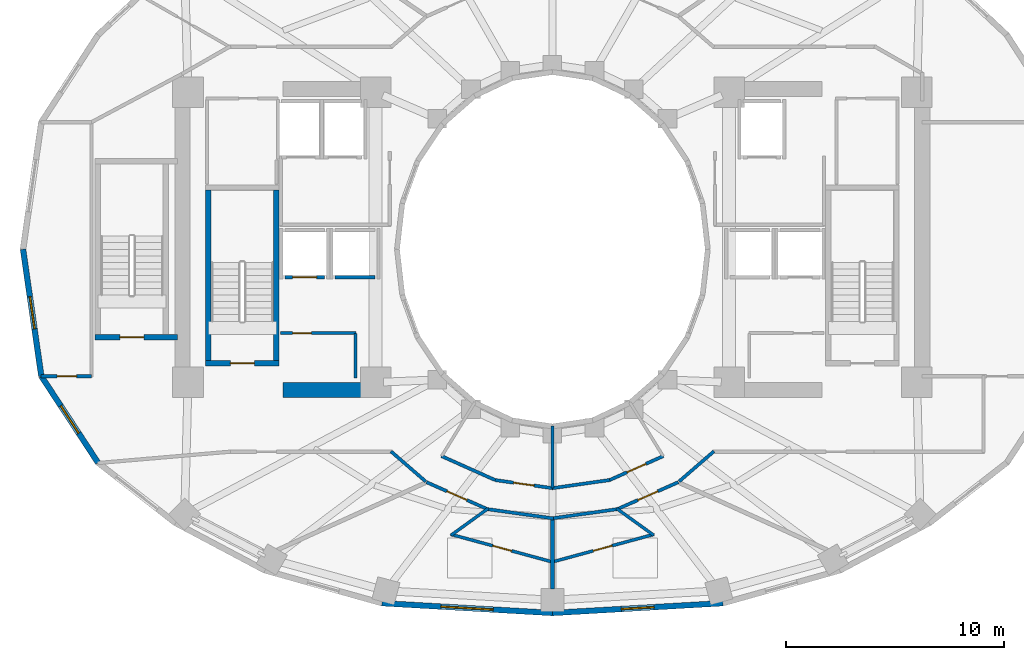
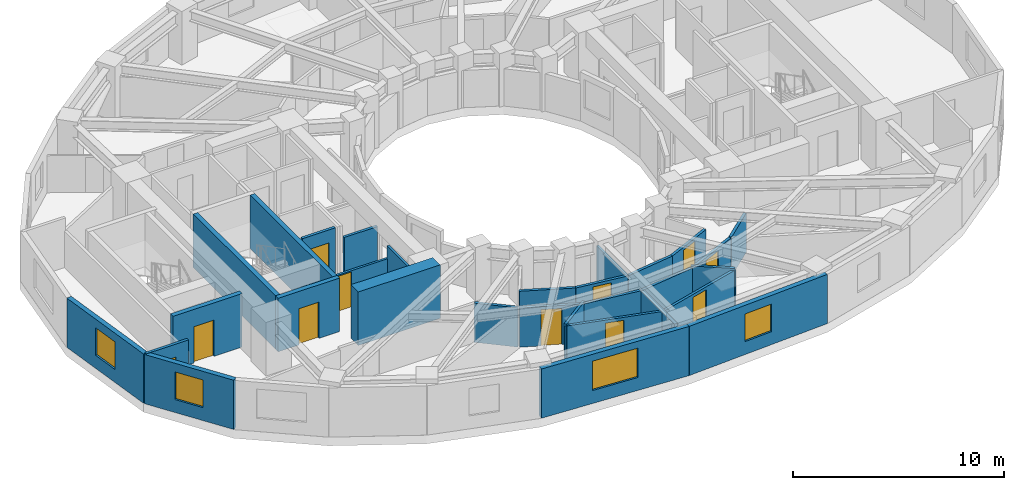
# One storey, part 3 of 9: 30 walls, 11 doors, 4 windows, 15 openings.
"""IFC4 building model written with IfcOpenShell, lengths in metres."""

from ifc_helpers import new_model, si_unit, direction, frame, frame_2d, origin, place, context, subcontext, project, spatial, rectangle, extrude, material, layer, layer_set, type_object, element, fill, save


model = new_model("IFC4")

# Units and contexts
model_context = context("Model", 3, precision=1e-05, world=origin(), true_north=direction((0.0, 1.0)))
body_context = subcontext(model_context, "Body", "Model", "MODEL_VIEW")
ifc_project = project(units=[si_unit("LENGTHUNIT", "METRE"), si_unit("AREAUNIT", "SQUARE_METRE"), si_unit("VOLUMEUNIT", "CUBIC_METRE"), si_unit("PLANEANGLEUNIT", "RADIAN"), si_unit("MASSUNIT", "GRAM", prefix="KILO")], contexts=[model_context])

# Site, building, storey
site_placement = place(None, origin())
site = spatial("IfcSite", under=ifc_project, at=site_placement, CompositionType="ELEMENT")
building_placement = place(site_placement, origin())
building = spatial("IfcBuilding", under=site, at=building_placement, Name="Solvane Sanctuary Tower", CompositionType="ELEMENT")
storey_placement = place(building_placement, frame((0.0, 0.0, 113.5)))
storey = spatial("IfcBuildingStorey", under=building, at=storey_placement, Name="L34", CompositionType="ELEMENT", Elevation=113.5)

# Wall
ifc_material_1 = material(Name="Concrete C60/75", Category="concrete")
ifc_layer_1 = layer(ifc_material_1, 0.699951171875, Name="Concrete C60/75")
ifc_layer_set_1 = layer_set([ifc_layer_1], Name="Concrete C60/75")
wall_type_1 = type_object("IfcWallType", Name="Wall W-CORE-700", PredefinedType="SHEAR", material=ifc_layer_set_1)
wall_1_placement = place(storey_placement, frame((19.64990234375, 16.550048828125, 0.0), z_axis=(0.0, 0.0, 1.0), x_axis=(1.0, 0.0, 0.0)))
element("IfcWall", 1, at=wall_1_placement, inside=storey, type_object=wall_type_1, Name="L34 Core Shear Wall WC-S", PredefinedType="SHEAR", context=body_context, shape_type="SweptSolid", body=[
    extrude(rectangle(XDim=4.5, YDim=0.699951171875, at=frame_2d((2.25, 0.0))), origin(), (0.0, 0.0, 1.0), 3.10009765625),
])

# Wall, opening, door
ifc_material_2 = material(Name="Acoustic Gypsum Partition Board")
ifc_layer_2 = layer(ifc_material_2, 0.14990234375, Name="Acoustic Gypsum Partition Board")
ifc_layer_set_2 = layer_set([ifc_layer_2], Name="Acoustic Gypsum Partition Board")
wall_type_2 = type_object("IfcWallType", Name="Wall W-CORR-150", PredefinedType="PARTITIONING", material=ifc_layer_set_2)
wall_2_placement = place(storey_placement, frame((8.558349609375, 17.1748046875, 0.0), z_axis=(0.0, 0.0, 1.0), x_axis=(1.0, 0.0, 0.0)))
wall_2 = element("IfcWall", 2, at=wall_2_placement, inside=storey, type_object=wall_type_2, Name="L34 West Shoulder South Wall", PredefinedType="PARTITIONING", context=body_context, shape_type="SweptSolid", body=[
    extrude(rectangle(XDim=2.321533203125, YDim=0.14990234375, at=frame_2d((1.16064453125, 0.0))), origin(), (0.0, 0.0, 1.0), 2.85498046875),
])
opening_1_placement = place(wall_2_placement, frame((0.739013671875, 0.0, 0.0)))
opening_1 = element("IfcOpeningElement", 3, at=opening_1_placement, cuts=wall_2, Name="Opening D-L34-11", PredefinedType="OPENING", context=body_context, shape_type="SweptSolid", body=[
    extrude(rectangle(XDim=0.89990234375, YDim=2.10009765625, at=frame_2d((0.449951171875, 1.050048828125))), frame((0.0, 0.0849609375, 0.0), z_axis=(0.0, -1.0, 0.0), x_axis=(1.0, 0.0, 0.0)), (0.0, 0.0, 1.0), 0.169921875),
])
ifc_material_3 = material(Name="Engineered Tropical Hardwood", Category="wood")
door_type_1 = type_object("IfcDoorType", Name="Door D-WET-900", OperationType="NOTDEFINED", PredefinedType="DOOR", material=ifc_material_3)
door_1_placement = place(opening_1_placement, origin())
door_1 = element("IfcDoor", 4, at=door_1_placement, inside=storey, type_object=door_type_1, Name="L34 West Shoulder South Door", OperationType="SINGLE_SWING_RIGHT", OverallHeight=2.10009765625, OverallWidth=0.89990234375, PredefinedType="DOOR", context=body_context, shape_type="SweptSolid", body=[
    extrude(rectangle(XDim=0.89990234375, YDim=2.10009765625, at=frame_2d((0.449951171875, 1.050048828125))), frame((0.0, 0.02490234375, 0.0), z_axis=(0.0, -1.0, 0.0), x_axis=(1.0, 0.0, 0.0)), (0.0, 0.0, 1.0), 0.050048828125),
])
fill(opening_1, door_1)

# Walls
for number, where, z_axis, x_axis, name in (
    (5, (26.193359375, 12.35791015625, 0.0), (0.0, 0.0, 1.0), (-0.756055312247, 0.654507727092, 0.0), "L34 SW Corner Throat Wall"),
    (6, (37.806640625, 12.35791015625, 0.0), (0.0, 0.0, 1.0), (0.756055312247, 0.654507727092, 0.0), "L34 SE Corner Throat Wall"),
):
    element("IfcWall", number, at=place(storey_placement, frame(where, z_axis=z_axis, x_axis=x_axis)), inside=storey, type_object=wall_type_2, Name=name, PredefinedType="PARTITIONING", context=body_context, shape_type="SweptSolid", body=[
        extrude(rectangle(XDim=2.11083984375, YDim=0.14990234375, at=frame_2d((1.055419921875, 0.0))), origin(), (0.0, 0.0, 1.0), 2.27197265625),
    ])
wall_3_placement = place(storey_placement, frame((26.9189453125, 13.520751953125, 0.0), z_axis=(0.0, 0.0, 1.0), x_axis=(0.912888568324, -0.408208845842, 0.0)))
element("IfcWall", 7, at=wall_3_placement, inside=storey, type_object=wall_type_2, Name="L34 Inner Light-Well Corridor Wall S1", PredefinedType="PARTITIONING", context=body_context, shape_type="SweptSolid", body=[
    extrude(rectangle(XDim=2.690185546875, YDim=0.14990234375, at=frame_2d((1.34521484375, 0.0))), origin(), (0.0, 0.0, 1.0), 2.27197265625),
])

# Wall, opening, door
wall_4_placement = place(storey_placement, frame((29.371337890625, 12.423583984375, 0.0), z_axis=(0.0, 0.0, 1.0), x_axis=(0.990106619919, -0.140317073775, 0.0)))
wall_4 = element("IfcWall", 8, at=wall_4_placement, inside=storey, type_object=wall_type_2, Name="L34 Inner Light-Well Corridor Wall S1", PredefinedType="PARTITIONING", context=body_context, shape_type="SweptSolid", body=[
    extrude(rectangle(XDim=2.662109375, YDim=0.14990234375, at=frame_2d((1.3310546875, 0.0))), origin(), (0.0, 0.0, 1.0), 2.27197265625),
])
opening_2_placement = place(wall_4_placement, frame((0.856201171875, 0.0, 0.0)))
opening_2 = element("IfcOpeningElement", 9, at=opening_2_placement, cuts=wall_4, Name="Opening D-L34-17", PredefinedType="OPENING", context=body_context, shape_type="SweptSolid", body=[
    extrude(rectangle(XDim=0.949951171875, YDim=2.10009765625, at=frame_2d((0.47509765625, 1.050048828125))), frame((0.0, 0.0849609375, 0.0), z_axis=(0.0, -1.0, 0.0), x_axis=(1.0, 0.0, 0.0)), (0.0, 0.0, 1.0), 0.169921875),
])
door_type_2 = type_object("IfcDoorType", Name="Door D-ROOM-950", OperationType="NOTDEFINED", PredefinedType="DOOR", material=ifc_material_3)
door_2_placement = place(opening_2_placement, origin())
door_2 = element("IfcDoor", 10, at=door_2_placement, inside=storey, type_object=door_type_2, Name="L34 Inner Light-Well Salon Door S1", OperationType="SINGLE_SWING_RIGHT", OverallHeight=2.10009765625, OverallWidth=0.949951171875, PredefinedType="DOOR", context=body_context, shape_type="SweptSolid", body=[
    extrude(rectangle(XDim=0.949951171875, YDim=2.10009765625, at=frame_2d((0.47509765625, 1.050048828125))), frame((0.0, 0.02490234375, 0.0), z_axis=(0.0, -1.0, 0.0), x_axis=(1.0, 0.0, 0.0)), (0.0, 0.0, 1.0), 0.050048828125),
])
fill(opening_2, door_2)

# Wall
wall_5_placement = place(storey_placement, frame((31.992919921875, 12.050048828125, 0.0), z_axis=(0.0, 0.0, 1.0), x_axis=(0.990106619919, 0.140317073775, 0.0)))
element("IfcWall", 11, at=wall_5_placement, inside=storey, type_object=wall_type_2, Name="L34 Inner Light-Well Corridor Wall S2", PredefinedType="PARTITIONING", context=body_context, shape_type="SweptSolid", body=[
    extrude(rectangle(XDim=2.662109375, YDim=0.14990234375, at=frame_2d((1.3310546875, 0.0))), origin(), (0.0, 0.0, 1.0), 2.27197265625),
])

# Wall, opening, door
wall_6_placement = place(storey_placement, frame((34.625244140625, 12.422607421875, 0.0), z_axis=(0.0, 0.0, 1.0), x_axis=(0.912888568324, 0.408208845842, 0.0)))
wall_6 = element("IfcWall", 12, at=wall_6_placement, inside=storey, type_object=wall_type_2, Name="L34 Inner Light-Well Corridor Wall S2", PredefinedType="PARTITIONING", context=body_context, shape_type="SweptSolid", body=[
    extrude(rectangle(XDim=2.690185546875, YDim=0.14990234375, at=frame_2d((1.34521484375, 0.0))), origin(), (0.0, 0.0, 1.0), 2.27197265625),
])
opening_3_placement = place(wall_6_placement, frame((0.8701171875, 0.0, 0.0)))
opening_3 = element("IfcOpeningElement", 13, at=opening_3_placement, cuts=wall_6, Name="Opening D-L34-18", PredefinedType="OPENING", context=body_context, shape_type="SweptSolid", body=[
    extrude(rectangle(XDim=0.949951171875, YDim=2.10009765625, at=frame_2d((0.47509765625, 1.050048828125))), frame((0.0, 0.0849609375, 0.0), z_axis=(0.0, -1.0, 0.0), x_axis=(1.0, 0.0, 0.0)), (0.0, 0.0, 1.0), 0.169921875),
])
door_3_placement = place(opening_3_placement, origin())
door_3 = element("IfcDoor", 14, at=door_3_placement, inside=storey, type_object=door_type_2, Name="L34 Inner Light-Well Salon Door S2", OperationType="SINGLE_SWING_LEFT", OverallHeight=2.10009765625, OverallWidth=0.949951171875, PredefinedType="DOOR", context=body_context, shape_type="SweptSolid", body=[
    extrude(rectangle(XDim=0.949951171875, YDim=2.10009765625, at=frame_2d((0.47509765625, 1.050048828125))), frame((0.0, 0.02490234375, 0.0), z_axis=(0.0, -1.0, 0.0), x_axis=(1.0, 0.0, 0.0)), (0.0, 0.0, 1.0), 0.050048828125),
])
fill(opening_3, door_3)

# Wall
wall_7_placement = place(storey_placement, frame((28.96630859375, 11.09716796875, 0.0), z_axis=(0.0, 0.0, 1.0), x_axis=(0.990234434447, -0.139412211929, 0.0)))
element("IfcWall", 15, at=wall_7_placement, inside=storey, type_object=wall_type_2, Name="L34 En-suite Inner Wall S1", PredefinedType="PARTITIONING", context=body_context, shape_type="SweptSolid", body=[
    extrude(rectangle(XDim=3.11376953125, YDim=0.14990234375, at=frame_2d((1.556884765625, 0.0))), origin(), (0.0, 0.0, 1.0), 2.27197265625),
])

# Wall, opening, door
wall_8_placement = place(storey_placement, frame((26.22802734375, 12.326171875, 0.0), z_axis=(0.0, 0.0, 1.0), x_axis=(0.914324470734, -0.404982422108, 0.0)))
wall_8 = element("IfcWall", 16, at=wall_8_placement, inside=storey, type_object=wall_type_2, Name="L34 Unit Corridor Wall S1", PredefinedType="PARTITIONING", context=body_context, shape_type="SweptSolid", body=[
    extrude(rectangle(XDim=3.0576171875, YDim=0.14990234375, at=frame_2d((1.52880859375, 0.0))), origin(), (0.0, 0.0, 1.0), 2.27197265625),
])
opening_4_placement = place(wall_8_placement, frame((1.02880859375, 0.0, 0.0)))
opening_4 = element("IfcOpeningElement", 17, at=opening_4_placement, cuts=wall_8, Name="Opening D-L34-25", PredefinedType="OPENING", context=body_context, shape_type="SweptSolid", body=[
    extrude(rectangle(XDim=1.0, YDim=2.10009765625, at=frame_2d((0.5, 1.050048828125))), frame((0.0, 0.0849609375, 0.0), z_axis=(0.0, -1.0, 0.0), x_axis=(1.0, 0.0, 0.0)), (0.0, 0.0, 1.0), 0.169921875),
])
door_type_3 = type_object("IfcDoorType", Name="Door D-UNIT", OperationType="NOTDEFINED", PredefinedType="DOOR", material=ifc_material_3)
door_4_placement = place(opening_4_placement, origin())
door_4 = element("IfcDoor", 18, at=door_4_placement, inside=storey, type_object=door_type_3, Name="L34 Unit Entrance Door S1", OperationType="SINGLE_SWING_RIGHT", OverallHeight=2.10009765625, OverallWidth=1.0, PredefinedType="DOOR", context=body_context, shape_type="SweptSolid", body=[
    extrude(rectangle(XDim=1.0, YDim=2.10009765625, at=frame_2d((0.5, 1.050048828125))), frame((0.0, 0.02490234375, 0.0), z_axis=(0.0, -1.0, 0.0), x_axis=(1.0, 0.0, 0.0)), (0.0, 0.0, 1.0), 0.050048828125),
])
fill(opening_4, door_4)

# Wall
wall_9_placement = place(storey_placement, frame((31.950439453125, 10.6630859375, 0.0), z_axis=(0.0, 0.0, 1.0), x_axis=(0.990234434447, 0.139412211929, 0.0)))
element("IfcWall", 19, at=wall_9_placement, inside=storey, type_object=wall_type_2, Name="L34 En-suite Inner Wall S2", PredefinedType="PARTITIONING", context=body_context, shape_type="SweptSolid", body=[
    extrude(rectangle(XDim=3.11376953125, YDim=0.14990234375, at=frame_2d((1.556884765625, 0.0))), origin(), (0.0, 0.0, 1.0), 2.27197265625),
])

# Wall, opening, door
wall_10_placement = place(storey_placement, frame((34.976318359375, 11.087890625, 0.0), z_axis=(0.0, 0.0, 1.0), x_axis=(0.914324470734, 0.404982422108, 0.0)))
wall_10 = element("IfcWall", 20, at=wall_10_placement, inside=storey, type_object=wall_type_2, Name="L34 Unit Corridor Wall S2", PredefinedType="PARTITIONING", context=body_context, shape_type="SweptSolid", body=[
    extrude(rectangle(XDim=3.0576171875, YDim=0.14990234375, at=frame_2d((1.52880859375, 0.0))), origin(), (0.0, 0.0, 1.0), 2.27197265625),
])
opening_5_placement = place(wall_10_placement, frame((1.02880859375, 0.0, 0.0)))
opening_5 = element("IfcOpeningElement", 21, at=opening_5_placement, cuts=wall_10, Name="Opening D-L34-27", PredefinedType="OPENING", context=body_context, shape_type="SweptSolid", body=[
    extrude(rectangle(XDim=1.0, YDim=2.10009765625, at=frame_2d((0.5, 1.050048828125))), frame((0.0, 0.0849609375, 0.0), z_axis=(0.0, -1.0, 0.0), x_axis=(1.0, 0.0, 0.0)), (0.0, 0.0, 1.0), 0.169921875),
])
door_5_placement = place(opening_5_placement, origin())
door_5 = element("IfcDoor", 22, at=door_5_placement, inside=storey, type_object=door_type_3, Name="L34 Unit Entrance Door S2", OperationType="SINGLE_SWING_RIGHT", OverallHeight=2.10009765625, OverallWidth=1.0, PredefinedType="DOOR", context=body_context, shape_type="SweptSolid", body=[
    extrude(rectangle(XDim=1.0, YDim=2.10009765625, at=frame_2d((0.5, 1.050048828125))), frame((0.0, 0.02490234375, 0.0), z_axis=(0.0, -1.0, 0.0), x_axis=(1.0, 0.0, 0.0)), (0.0, 0.0, 1.0), 0.050048828125),
])
fill(opening_5, door_5)

# Wall, opening, window
ifc_material_4 = material(Name="Precast concrete C40/50", Category="concrete")
ifc_layer_3 = layer(ifc_material_4, 0.260009765625, Name="Precast concrete C40/50")
ifc_layer_set_3 = layer_set([ifc_layer_3], Name="Precast concrete C40/50")
wall_type_3 = type_object("IfcWallType", Name="Wall W-EXT-250", PredefinedType="STANDARD", material=ifc_layer_set_3)
wall_11_placement = place(storey_placement, frame((7.739990234375, 23.0, 0.0), z_axis=(0.0, 0.0, 1.0), x_axis=(0.142572472068, -0.98978436551, 0.0)))
wall_11 = element("IfcWall", 23, at=wall_11_placement, inside=storey, type_object=wall_type_3, Name="L34 Ceramic-Printed Facade Wall 12", PredefinedType="STANDARD", context=body_context, shape_type="SweptSolid", body=[
    extrude(rectangle(XDim=5.878662109375, YDim=0.260009765625, at=frame_2d((2.939453125, 0.0))), origin(), (0.0, 0.0, 1.0), 2.85009765625),
])
opening_6_placement = place(wall_11_placement, frame((2.189453125, 0.0, 0.75)))
opening_6 = element("IfcOpeningElement", 24, at=opening_6_placement, cuts=wall_11, Name="Opening WN-OPER-1500", PredefinedType="OPENING", context=body_context, shape_type="SweptSolid", body=[
    extrude(rectangle(XDim=1.5, YDim=1.60009765625, at=frame_2d((0.75, 0.800048828125))), frame((0.0, 0.139892578125, 0.0), z_axis=(0.0, -1.0, 0.0), x_axis=(1.0, 0.0, 0.0)), (0.0, 0.0, 1.0), 0.280029296875),
])
ifc_material_5 = material(Name="Dark Ceramic-Fritted Low-E Glass", Category="glass")
window_type_1 = type_object("IfcWindowType", Name="Window WN-OPER-1500", PartitioningType="SINGLE_PANEL", PredefinedType="WINDOW", material=ifc_material_5)
window_1_placement = place(opening_6_placement, origin())
window_1 = element("IfcWindow", 25, at=window_1_placement, inside=storey, type_object=window_type_1, Name="L34 Operable Facade Window 12", OverallHeight=1.60009765625, OverallWidth=1.5, PartitioningType="SINGLE_PANEL", PredefinedType="WINDOW", context=body_context, shape_type="SweptSolid", body=[
    extrude(rectangle(XDim=1.5, YDim=1.60009765625, at=frame_2d((0.75, 0.800048828125))), frame((0.0, 0.030029296875, 0.0), z_axis=(0.0, -1.0, 0.0), x_axis=(1.0, 0.0, 0.0)), (0.0, 0.0, 1.0), 0.06005859375),
])
fill(opening_6, window_1)

wall_12_placement = place(storey_placement, frame((8.578125, 17.181396484375, 0.0), z_axis=(0.0, 0.0, 1.0), x_axis=(0.548283220945, -0.836292717672, 0.0)))
wall_12 = element("IfcWall", 26, at=wall_12_placement, inside=storey, type_object=wall_type_3, Name="L34 Ceramic-Printed Facade Wall 13", PredefinedType="STANDARD", context=body_context, shape_type="SweptSolid", body=[
    extrude(rectangle(XDim=4.744384765625, YDim=0.260009765625, at=frame_2d((2.3720703125, 0.0))), origin(), (0.0, 0.0, 1.0), 2.85009765625),
])
opening_7_placement = place(wall_12_placement, frame((1.622314453125, 0.0, 0.75)))
opening_7 = element("IfcOpeningElement", 27, at=opening_7_placement, cuts=wall_12, Name="Opening WN-OPER-1500", PredefinedType="OPENING", context=body_context, shape_type="SweptSolid", body=[
    extrude(rectangle(XDim=1.5, YDim=1.60009765625, at=frame_2d((0.75, 0.800048828125))), frame((0.0, 0.139892578125, 0.0), z_axis=(0.0, -1.0, 0.0), x_axis=(1.0, 0.0, 0.0)), (0.0, 0.0, 1.0), 0.280029296875),
])
window_2_placement = place(opening_7_placement, origin())
window_2 = element("IfcWindow", 28, at=window_2_placement, inside=storey, type_object=window_type_1, Name="L34 Operable Facade Window 13", OverallHeight=1.60009765625, OverallWidth=1.5, PartitioningType="SINGLE_PANEL", PredefinedType="WINDOW", context=body_context, shape_type="SweptSolid", body=[
    extrude(rectangle(XDim=1.5, YDim=1.60009765625, at=frame_2d((0.75, 0.800048828125))), frame((0.0, 0.030029296875, 0.0), z_axis=(0.0, -1.0, 0.0), x_axis=(1.0, 0.0, 0.0)), (0.0, 0.0, 1.0), 0.06005859375),
])
fill(opening_7, window_2)

wall_13_placement = place(storey_placement, frame((24.18359375, 6.7783203125, 0.0), z_axis=(0.0, 0.0, 1.0), x_axis=(0.998352606703, -0.057376586592, 0.0)))
wall_13 = element("IfcWall", 29, at=wall_13_placement, inside=storey, type_object=wall_type_3, Name="L34 Ceramic-Printed Facade Wall 17", PredefinedType="STANDARD", context=body_context, shape_type="SweptSolid", body=[
    extrude(rectangle(XDim=7.829345703125, YDim=0.260009765625, at=frame_2d((3.91455078125, 0.0))), origin(), (0.0, 0.0, 1.0), 2.85009765625),
])
opening_8_placement = place(wall_13_placement, frame((2.714599609375, 0.0, 0.75)))
opening_8 = element("IfcOpeningElement", 30, at=opening_8_placement, cuts=wall_13, Name="Opening WN-RIB-2400", PredefinedType="OPENING", context=body_context, shape_type="SweptSolid", body=[
    extrude(rectangle(XDim=2.39990234375, YDim=1.699951171875, at=frame_2d((1.199951171875, 0.85009765625))), frame((0.0, 0.139892578125, 0.0), z_axis=(0.0, -1.0, 0.0), x_axis=(1.0, 0.0, 0.0)), (0.0, 0.0, 1.0), 0.280029296875),
])
window_type_2 = type_object("IfcWindowType", Name="Window WN-RIB-2400", PartitioningType="SINGLE_PANEL", PredefinedType="WINDOW", material=ifc_material_5)
window_3_placement = place(opening_8_placement, origin())
window_3 = element("IfcWindow", 31, at=window_3_placement, inside=storey, type_object=window_type_2, Name="L34 Operable Facade Window 17", OverallHeight=1.699951171875, OverallWidth=2.39990234375, PartitioningType="SINGLE_PANEL", PredefinedType="WINDOW", context=body_context, shape_type="SweptSolid", body=[
    extrude(rectangle(XDim=2.39990234375, YDim=1.699951171875, at=frame_2d((1.199951171875, 0.85009765625))), frame((0.0, 0.030029296875, 0.0), z_axis=(0.0, -1.0, 0.0), x_axis=(1.0, 0.0, 0.0)), (0.0, 0.0, 1.0), 0.06005859375),
])
fill(opening_8, window_3)

wall_14_placement = place(storey_placement, frame((32.0, 6.3291015625, 0.0), z_axis=(0.0, 0.0, 1.0), x_axis=(0.998352606703, 0.057376586592, 0.0)))
wall_14 = element("IfcWall", 32, at=wall_14_placement, inside=storey, type_object=wall_type_3, Name="L34 Ceramic-Printed Facade Wall 18", PredefinedType="STANDARD", context=body_context, shape_type="SweptSolid", body=[
    extrude(rectangle(XDim=7.829345703125, YDim=0.260009765625, at=frame_2d((3.91455078125, 0.0))), origin(), (0.0, 0.0, 1.0), 2.85009765625),
])
opening_9_placement = place(wall_14_placement, frame((3.16455078125, 0.0, 0.75)))
opening_9 = element("IfcOpeningElement", 33, at=opening_9_placement, cuts=wall_14, Name="Opening WN-OPER-1500", PredefinedType="OPENING", context=body_context, shape_type="SweptSolid", body=[
    extrude(rectangle(XDim=1.5, YDim=1.60009765625, at=frame_2d((0.75, 0.800048828125))), frame((0.0, 0.139892578125, 0.0), z_axis=(0.0, -1.0, 0.0), x_axis=(1.0, 0.0, 0.0)), (0.0, 0.0, 1.0), 0.280029296875),
])
window_4_placement = place(opening_9_placement, origin())
window_4 = element("IfcWindow", 34, at=window_4_placement, inside=storey, type_object=window_type_1, Name="L34 Operable Facade Window 18", OverallHeight=1.60009765625, OverallWidth=1.5, PartitioningType="SINGLE_PANEL", PredefinedType="WINDOW", context=body_context, shape_type="SweptSolid", body=[
    extrude(rectangle(XDim=1.5, YDim=1.60009765625, at=frame_2d((0.75, 0.800048828125))), frame((0.0, 0.030029296875, 0.0), z_axis=(0.0, -1.0, 0.0), x_axis=(1.0, 0.0, 0.0)), (0.0, 0.0, 1.0), 0.06005859375),
])
fill(opening_9, window_4)

# Wall, opening, door
ifc_layer_4 = layer(ifc_material_2, 0.125, Name="Acoustic Gypsum Partition Board")
ifc_layer_set_4 = layer_set([ifc_layer_4], Name="Acoustic Gypsum Partition Board")
wall_type_4 = type_object("IfcWallType", Name="Wall W-PART-125", PredefinedType="PARTITIONING", material=ifc_layer_set_4)
wall_15_placement = place(storey_placement, frame((19.550048828125, 19.159912109375, 0.0), z_axis=(0.0, 0.0, 1.0), x_axis=(1.0, 0.0, 0.0)))
wall_15 = element("IfcWall", 35, at=wall_15_placement, inside=storey, type_object=wall_type_4, Name="L34 Reclaimed Room Partition PLW", PredefinedType="PARTITIONING", context=body_context, shape_type="SweptSolid", body=[
    extrude(rectangle(XDim=3.449951171875, YDim=0.125, at=frame_2d((1.72509765625, 0.0))), origin(), (0.0, 0.0, 1.0), 2.1201171875),
])
opening_10_placement = place(wall_15_placement, frame((0.550048828125, 0.0, 0.0)))
opening_10 = element("IfcOpeningElement", 36, at=opening_10_placement, cuts=wall_15, Name="Opening D-L34-06", PredefinedType="OPENING", context=body_context, shape_type="SweptSolid", body=[
    extrude(rectangle(XDim=0.85009765625, YDim=2.050048828125, at=frame_2d((0.425048828125, 1.02490234375))), frame((0.0, 0.072509765625, 0.0), z_axis=(0.0, -1.0, 0.0), x_axis=(1.0, 0.0, 0.0)), (0.0, 0.0, 1.0), 0.14501953125),
])
ifc_material_6 = material(Name="Architectural Stainless Steel 316", Category="steel")
door_type_4 = type_object("IfcDoorType", Name="Door D-RISER", OperationType="NOTDEFINED", PredefinedType="DOOR", material=ifc_material_6)
door_6_placement = place(opening_10_placement, origin())
door_6 = element("IfcDoor", 37, at=door_6_placement, inside=storey, type_object=door_type_4, Name="L34 Reclaimed Room Door PLW-1", OperationType="SINGLE_SWING_LEFT", OverallHeight=2.050048828125, OverallWidth=0.85009765625, PredefinedType="DOOR", context=body_context, shape_type="SweptSolid", body=[
    extrude(rectangle(XDim=0.85009765625, YDim=2.050048828125, at=frame_2d((0.425048828125, 1.02490234375))), frame((0.0, 0.02490234375, 0.0), z_axis=(0.0, -1.0, 0.0), x_axis=(1.0, 0.0, 0.0)), (0.0, 0.0, 1.0), 0.050048828125),
])
fill(opening_10, door_6)

# Walls
wall_16_placement = place(storey_placement, frame((22.97998046875, 17.10009765625, 0.0), z_axis=(0.0, 0.0, 1.0), x_axis=(0.0, 1.0, 0.0)))
element("IfcWall", 38, at=wall_16_placement, inside=storey, type_object=wall_type_4, Name="L34 Reclaimed Room Closer Wall PLW-1", PredefinedType="PARTITIONING", context=body_context, shape_type="SweptSolid", body=[
    extrude(rectangle(XDim=2.039794921875, YDim=0.125, at=frame_2d((1.02001953125, 0.0))), origin(), (0.0, 0.0, 1.0), 2.85498046875),
])
wall_17_placement = place(storey_placement, frame((32.0, 14.89990234375, 0.0), z_axis=(0.0, 0.0, 1.0), x_axis=(0.0, -1.0, 0.0)))
element("IfcWall", 39, at=wall_17_placement, inside=storey, type_object=wall_type_4, Name="L34 Inner Light-Well Radial Wall 270", PredefinedType="PARTITIONING", context=body_context, shape_type="SweptSolid", body=[
    extrude(rectangle(XDim=2.849853515625, YDim=0.125, at=frame_2d((1.4248046875, 0.0))), origin(), (0.0, 0.0, 1.0), 2.27197265625),
])

# Wall, opening, door
ifc_material_7 = material(Name="Concrete C50/60", Category="concrete")
ifc_layer_5 = layer(ifc_material_7, 0.14990234375, Name="Concrete C50/60")
ifc_layer_set_5 = layer_set([ifc_layer_5], Name="Concrete C50/60")
wall_type_5 = type_object("IfcWallType", Name="Wall W-SHAFT-150", PredefinedType="SOLIDWALL", material=ifc_layer_set_5)
wall_18_placement = place(storey_placement, frame((19.739990234375, 21.719970703125, 0.0), z_axis=(0.0, 0.0, 1.0), x_axis=(1.0, 0.0, 0.0)))
wall_18 = element("IfcWall", 40, at=wall_18_placement, inside=storey, type_object=wall_type_5, Name="L34 PM-1 Lift Shaft Wall F", PredefinedType="SOLIDWALL", context=body_context, shape_type="SweptSolid", body=[
    extrude(rectangle(XDim=1.820068359375, YDim=0.14990234375, at=frame_2d((0.91015625, 0.0))), origin(), (0.0, 0.0, 1.0), 2.85498046875),
])
opening_11_placement = place(wall_18_placement, frame((0.360107421875, 0.0, 0.0)))
opening_11 = element("IfcOpeningElement", 41, at=opening_11_placement, cuts=wall_18, Name="Opening LD-L34-01", PredefinedType="OPENING", context=body_context, shape_type="SweptSolid", body=[
    extrude(rectangle(XDim=1.10009765625, YDim=2.10009765625, at=frame_2d((0.550048828125, 1.050048828125))), frame((0.0, 0.0849609375, 0.0), z_axis=(0.0, -1.0, 0.0), x_axis=(1.0, 0.0, 0.0)), (0.0, 0.0, 1.0), 0.169921875),
])
door_type_5 = type_object("IfcDoorType", Name="Door LD-PASS-1100", OperationType="NOTDEFINED", PredefinedType="DOOR", material=ifc_material_6)
door_7_placement = place(opening_11_placement, origin())
door_7 = element("IfcDoor", 42, at=door_7_placement, inside=storey, type_object=door_type_5, Name="L34 PM-1 Lift Landing Door", OperationType="DOUBLE_DOOR_SLIDING", OverallHeight=2.10009765625, OverallWidth=1.10009765625, PredefinedType="DOOR", context=body_context, shape_type="SweptSolid", body=[
    extrude(rectangle(XDim=1.10009765625, YDim=2.10009765625, at=frame_2d((0.550048828125, 1.050048828125))), frame((0.0, 0.02490234375, 0.0), z_axis=(0.0, -1.0, 0.0), x_axis=(1.0, 0.0, 0.0)), (0.0, 0.0, 1.0), 0.050048828125),
])
fill(opening_11, door_7)

# Wall
wall_19_placement = place(storey_placement, frame((22.0400390625, 21.719970703125, 0.0), z_axis=(0.0, 0.0, 1.0), x_axis=(1.0, 0.0, 0.0)))
element("IfcWall", 43, at=wall_19_placement, inside=storey, type_object=wall_type_5, Name="L34 PH-1 Lift Shaft Wall F", PredefinedType="SOLIDWALL", context=body_context, shape_type="SweptSolid", body=[
    extrude(rectangle(XDim=1.820068359375, YDim=0.14990234375, at=frame_2d((0.91015625, 0.0))), origin(), (0.0, 0.0, 1.0), 2.1201171875),
])

# Wall, opening, door
ifc_layer_6 = layer(ifc_material_7, 0.25, Name="Concrete C50/60")
ifc_layer_set_6 = layer_set([ifc_layer_6], Name="Concrete C50/60")
wall_type_6 = type_object("IfcWallType", Name="Wall W-SHAFT-250", PredefinedType="SOLIDWALL", material=ifc_layer_set_6)
wall_20_placement = place(storey_placement, frame((16.10498046875, 17.77001953125, 0.0), z_axis=(0.0, 0.0, 1.0), x_axis=(1.0, 0.0, 0.0)))
wall_20 = element("IfcWall", 44, at=wall_20_placement, inside=storey, type_object=wall_type_6, Name="L34 ST-1 Load-Bearing Shaft Wall S", PredefinedType="SOLIDWALL", context=body_context, shape_type="SweptSolid", body=[
    extrude(rectangle(XDim=3.3701171875, YDim=0.25, at=frame_2d((1.68505859375, 0.0))), origin(), (0.0, 0.0, 1.0), 3.10009765625),
])
opening_12_placement = place(wall_20_placement, frame((1.135009765625, 0.0, 0.0)))
opening_12 = element("IfcOpeningElement", 45, at=opening_12_placement, cuts=wall_20, Name="Opening D-L34-01", PredefinedType="OPENING", context=body_context, shape_type="SweptSolid", body=[
    extrude(rectangle(XDim=1.10009765625, YDim=2.10009765625, at=frame_2d((0.550048828125, 1.050048828125))), frame((0.0, 0.135009765625, 0.0), z_axis=(0.0, -1.0, 0.0), x_axis=(1.0, 0.0, 0.0)), (0.0, 0.0, 1.0), 0.27001953125),
])
door_type_6 = type_object("IfcDoorType", Name="Door D-STAIR", OperationType="NOTDEFINED", PredefinedType="DOOR", material=ifc_material_6)
door_8_placement = place(opening_12_placement, origin())
door_8 = element("IfcDoor", 46, at=door_8_placement, inside=storey, type_object=door_type_6, Name="L34 ST-1 Exit Stair Fire Door", OperationType="SINGLE_SWING_RIGHT", OverallHeight=2.10009765625, OverallWidth=1.10009765625, PredefinedType="DOOR", context=body_context, shape_type="SweptSolid", body=[
    extrude(rectangle(XDim=1.10009765625, YDim=2.10009765625, at=frame_2d((0.550048828125, 1.050048828125))), frame((0.0, 0.02490234375, 0.0), z_axis=(0.0, -1.0, 0.0), x_axis=(1.0, 0.0, 0.0)), (0.0, 0.0, 1.0), 0.050048828125),
])
fill(opening_12, door_8)

# Walls
for number, where, z_axis, x_axis, name in (
    (47, (16.22998046875, 17.89501953125, 0.0), (0.0, 0.0, 1.0), (0.0, 1.0, 0.0), "L34 ST-1 Load-Bearing Shaft Wall W"),
    (48, (19.35009765625, 17.89501953125, 0.0), (0.0, 0.0, 1.0), (0.0, 1.0, 0.0), "L34 ST-1 Load-Bearing Shaft Wall E"),
):
    element("IfcWall", number, at=place(storey_placement, frame(where, z_axis=z_axis, x_axis=x_axis)), inside=storey, type_object=wall_type_6, Name=name, PredefinedType="SOLIDWALL", context=body_context, shape_type="SweptSolid", body=[
        extrude(rectangle(XDim=7.81005859375, YDim=0.25, at=frame_2d((3.905029296875, 0.0))), origin(), (0.0, 0.0, 1.0), 3.10009765625),
    ])

# Wall, opening, door
wall_21_placement = place(storey_placement, frame((11.044921875, 18.969970703125, 0.0), z_axis=(0.0, 0.0, 1.0), x_axis=(1.0, 0.0, 0.0)))
wall_21 = element("IfcWall", 49, at=wall_21_placement, inside=storey, type_object=wall_type_6, Name="L34 ST-3 Load-Bearing Shaft Wall S", PredefinedType="SOLIDWALL", context=body_context, shape_type="SweptSolid", body=[
    extrude(rectangle(XDim=3.781982421875, YDim=0.25, at=frame_2d((1.89111328125, 0.0))), origin(), (0.0, 0.0, 1.0), 3.10009765625),
])
opening_13_placement = place(wall_21_placement, frame((1.135009765625, 0.0, 0.0)))
opening_13 = element("IfcOpeningElement", 50, at=opening_13_placement, cuts=wall_21, Name="Opening D-L34-03", PredefinedType="OPENING", context=body_context, shape_type="SweptSolid", body=[
    extrude(rectangle(XDim=1.10009765625, YDim=2.10009765625, at=frame_2d((0.550048828125, 1.050048828125))), frame((0.0, 0.135009765625, 0.0), z_axis=(0.0, -1.0, 0.0), x_axis=(1.0, 0.0, 0.0)), (0.0, 0.0, 1.0), 0.27001953125),
])
door_9_placement = place(opening_13_placement, origin())
door_9 = element("IfcDoor", 51, at=door_9_placement, inside=storey, type_object=door_type_6, Name="L34 ST-3 Exit Stair Fire Door", OperationType="SINGLE_SWING_RIGHT", OverallHeight=2.10009765625, OverallWidth=1.10009765625, PredefinedType="DOOR", context=body_context, shape_type="SweptSolid", body=[
    extrude(rectangle(XDim=1.10009765625, YDim=2.10009765625, at=frame_2d((0.550048828125, 1.050048828125))), frame((0.0, 0.02490234375, 0.0), z_axis=(0.0, -1.0, 0.0), x_axis=(1.0, 0.0, 0.0)), (0.0, 0.0, 1.0), 0.050048828125),
])
fill(opening_13, door_9)

# Walls
ifc_layer_7 = layer(ifc_material_2, 0.179931640625, Name="Acoustic Gypsum Partition Board")
ifc_layer_set_7 = layer_set([ifc_layer_7], Name="Acoustic Gypsum Partition Board")
wall_type_7 = type_object("IfcWallType", Name="Wall W-UNIT-180", PredefinedType="PARTITIONING", material=ifc_layer_set_7)
wall_22_placement = place(storey_placement, frame((32.0, 10.614990234375, 0.0), z_axis=(0.0, 0.0, 1.0), x_axis=(0.0, -1.0, 0.0)))
element("IfcWall", 52, at=wall_22_placement, inside=storey, type_object=wall_type_7, Name="L34 Radial Compartment Wall 270", PredefinedType="PARTITIONING", context=body_context, shape_type="SweptSolid", body=[
    extrude(rectangle(XDim=3.18994140625, YDim=0.179931640625, at=frame_2d((1.594970703125, 0.0))), origin(), (0.0, 0.0, 1.0), 2.27197265625),
])
ifc_layer_8 = layer(ifc_material_2, 0.139892578125, Name="Acoustic Gypsum Partition Board")
ifc_layer_set_8 = layer_set([ifc_layer_8], Name="Acoustic Gypsum Partition Board")
wall_type_8 = type_object("IfcWallType", Name="Wall W-WET-140", PredefinedType="PLUMBINGWALL", material=ifc_layer_set_8)
wall_23_placement = place(storey_placement, frame((29.056396484375, 11.119384765625, 0.0), z_axis=(0.0, 0.0, 1.0), x_axis=(-0.811212287347, -0.58475176345, 0.0)))
element("IfcWall", 53, at=wall_23_placement, inside=storey, type_object=wall_type_8, Name="L34 En-suite Side Partition S1", PredefinedType="PLUMBINGWALL", context=body_context, shape_type="SweptSolid", body=[
    extrude(rectangle(XDim=2.10009765625, YDim=0.139892578125, at=frame_2d((1.050048828125, 0.0))), origin(), (0.0, 0.0, 1.0), 2.385009765625),
])

# Wall, opening, door
wall_24_placement = place(storey_placement, frame((27.34521484375, 9.93359375, 0.0), z_axis=(0.0, 0.0, 1.0), x_axis=(0.965078741578, -0.261959963648, 0.0)))
wall_24 = element("IfcWall", 54, at=wall_24_placement, inside=storey, type_object=wall_type_8, Name="L34 En-suite Bedroom Wall S1", PredefinedType="PLUMBINGWALL", context=body_context, shape_type="SweptSolid", body=[
    extrude(rectangle(XDim=4.873291015625, YDim=0.139892578125, at=frame_2d((2.4365234375, 0.0))), origin(), (0.0, 0.0, 1.0), 2.27197265625),
])
opening_14_placement = place(wall_24_placement, frame((1.98681640625, 0.0, 0.0)))
opening_14 = element("IfcOpeningElement", 55, at=opening_14_placement, cuts=wall_24, Name="Opening D-L34-24", PredefinedType="OPENING", context=body_context, shape_type="SweptSolid", body=[
    extrude(rectangle(XDim=0.89990234375, YDim=2.10009765625, at=frame_2d((0.449951171875, 1.050048828125))), frame((0.0, 0.079833984375, 0.0), z_axis=(0.0, -1.0, 0.0), x_axis=(1.0, 0.0, 0.0)), (0.0, 0.0, 1.0), 0.159912109375),
])
door_10_placement = place(opening_14_placement, origin())
door_10 = element("IfcDoor", 56, at=door_10_placement, inside=storey, type_object=door_type_1, Name="L34 En-suite Bathroom Door S1", OperationType="SINGLE_SWING_LEFT", OverallHeight=2.10009765625, OverallWidth=0.89990234375, PredefinedType="DOOR", context=body_context, shape_type="SweptSolid", body=[
    extrude(rectangle(XDim=0.89990234375, YDim=2.10009765625, at=frame_2d((0.449951171875, 1.050048828125))), frame((0.0, 0.02490234375, 0.0), z_axis=(0.0, -1.0, 0.0), x_axis=(1.0, 0.0, 0.0)), (0.0, 0.0, 1.0), 0.050048828125),
])
fill(opening_14, door_10)

# Wall
wall_25_placement = place(storey_placement, frame((34.943603515625, 11.119384765625, 0.0), z_axis=(0.0, 0.0, 1.0), x_axis=(0.811212287347, -0.58475176345, 0.0)))
element("IfcWall", 57, at=wall_25_placement, inside=storey, type_object=wall_type_8, Name="L34 En-suite Side Partition S2", PredefinedType="PLUMBINGWALL", context=body_context, shape_type="SweptSolid", body=[
    extrude(rectangle(XDim=2.10009765625, YDim=0.139892578125, at=frame_2d((1.050048828125, 0.0))), origin(), (0.0, 0.0, 1.0), 2.385009765625),
])

# Wall, opening, door
wall_26_placement = place(storey_placement, frame((31.95166015625, 8.656982421875, 0.0), z_axis=(0.0, 0.0, 1.0), x_axis=(0.965078741578, 0.261959963648, 0.0)))
wall_26 = element("IfcWall", 58, at=wall_26_placement, inside=storey, type_object=wall_type_8, Name="L34 En-suite Bedroom Wall S2", PredefinedType="PLUMBINGWALL", context=body_context, shape_type="SweptSolid", body=[
    extrude(rectangle(XDim=4.873291015625, YDim=0.139892578125, at=frame_2d((2.4365234375, 0.0))), origin(), (0.0, 0.0, 1.0), 2.27197265625),
])
opening_15_placement = place(wall_26_placement, frame((1.98681640625, 0.0, 0.0)))
opening_15 = element("IfcOpeningElement", 59, at=opening_15_placement, cuts=wall_26, Name="Opening D-L34-26", PredefinedType="OPENING", context=body_context, shape_type="SweptSolid", body=[
    extrude(rectangle(XDim=0.89990234375, YDim=2.10009765625, at=frame_2d((0.449951171875, 1.050048828125))), frame((0.0, 0.079833984375, 0.0), z_axis=(0.0, -1.0, 0.0), x_axis=(1.0, 0.0, 0.0)), (0.0, 0.0, 1.0), 0.159912109375),
])
door_11_placement = place(opening_15_placement, origin())
door_11 = element("IfcDoor", 60, at=door_11_placement, inside=storey, type_object=door_type_1, Name="L34 En-suite Bathroom Door S2", OperationType="SINGLE_SWING_LEFT", OverallHeight=2.10009765625, OverallWidth=0.89990234375, PredefinedType="DOOR", context=body_context, shape_type="SweptSolid", body=[
    extrude(rectangle(XDim=0.89990234375, YDim=2.10009765625, at=frame_2d((0.449951171875, 1.050048828125))), frame((0.0, 0.02490234375, 0.0), z_axis=(0.0, -1.0, 0.0), x_axis=(1.0, 0.0, 0.0)), (0.0, 0.0, 1.0), 0.050048828125),
])
fill(opening_15, door_11)

save(model, "model.ifc")
